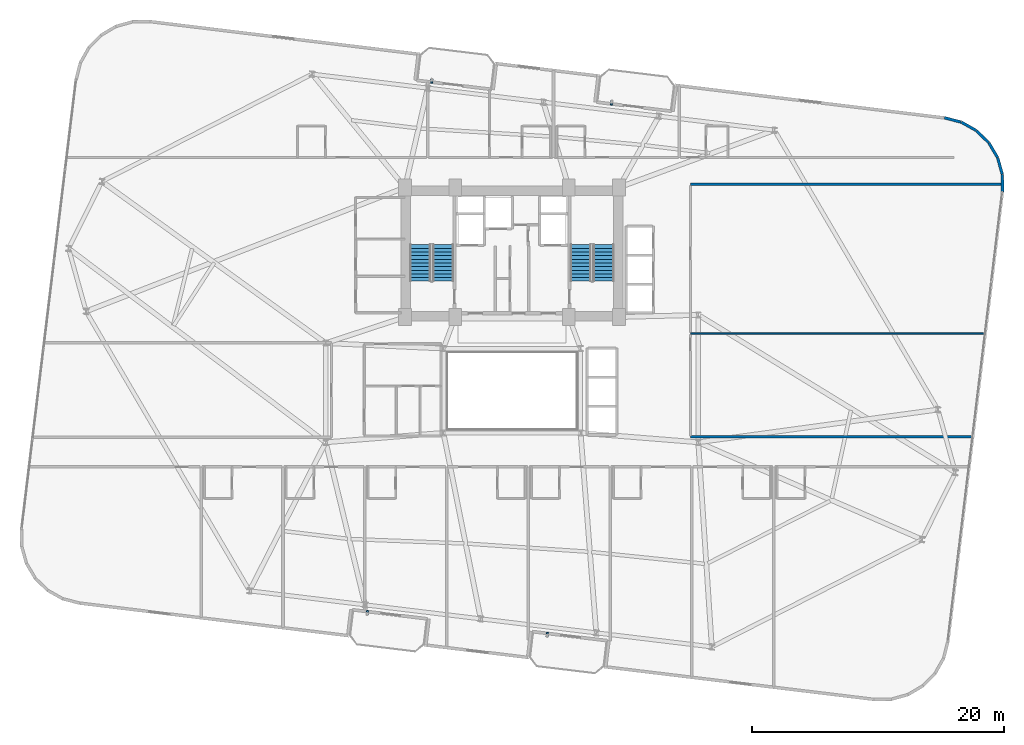
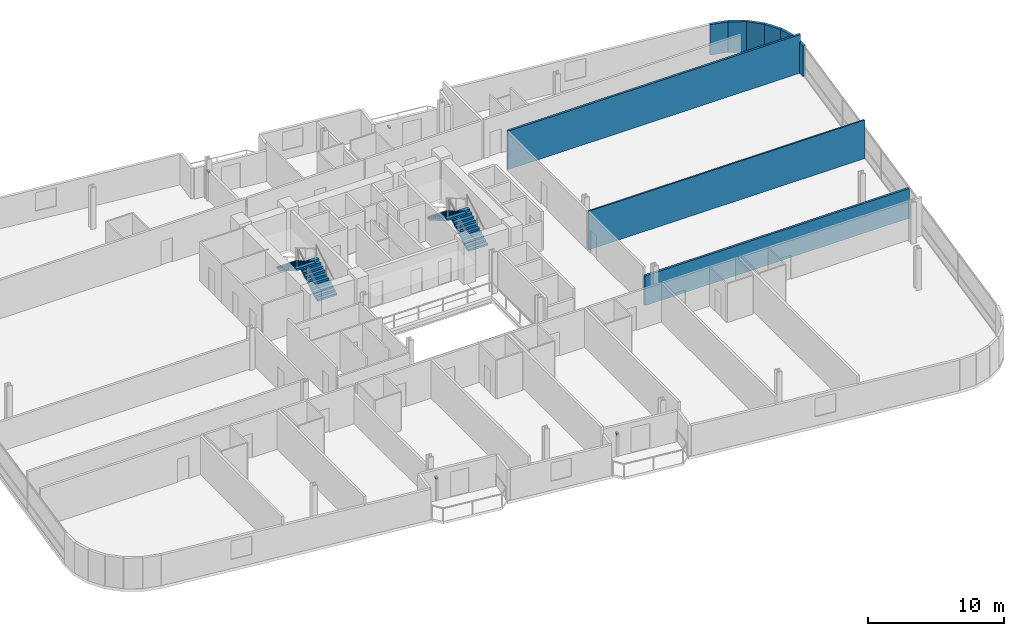
# One storey, part 24 of 26: 9 walls, 4 discrete accessories, 4 stair flights, 2 elements without a shape of their own.
"""IFC4 building model written with IfcOpenShell, lengths in metres."""

from ifc_helpers import new_model, si_unit, direction, frame, frame_2d, origin, origin_2d, place, context, subcontext, project, spatial, polyline, rectangle, outline, extrude, source, transform, mapped, material, layer, layer_set, type_object, element, aggregate, save


model = new_model("IFC4")

# Units and contexts
model_context = context("Model", 3, precision=1e-05, world=origin(), true_north=direction((0.0, 1.0)))
body_context = subcontext(model_context, "Body", "Model", "MODEL_VIEW")
ifc_project = project(units=[si_unit("LENGTHUNIT", "METRE"), si_unit("AREAUNIT", "SQUARE_METRE"), si_unit("VOLUMEUNIT", "CUBIC_METRE"), si_unit("PLANEANGLEUNIT", "RADIAN"), si_unit("MASSUNIT", "GRAM", prefix="KILO")], contexts=[model_context])

# Site, building, storey
site_placement = place(None, origin())
site = spatial("IfcSite", under=ifc_project, at=site_placement, CompositionType="ELEMENT")
building_placement = place(site_placement, origin())
building = spatial("IfcBuilding", under=site, at=building_placement, Name="Varnelok Gate Tower", CompositionType="ELEMENT")
storey_placement = place(building_placement, frame((0.0, 0.0, 125.39990234375)))
storey = spatial("IfcBuildingStorey", under=building, at=storey_placement, Name="L31", CompositionType="ELEMENT", Elevation=125.39990234375)

# Walls
ifc_material_1 = material(Name="Concrete C45/55", Category="concrete")
ifc_layer_1 = layer(ifc_material_1, 0.219970703125)
ifc_layer_set_1 = layer_set([ifc_layer_1], Name="Concrete C45/55")
wall_type_1 = type_object("IfcWallType", Name="EW-BALC-220", PredefinedType="SOLIDWALL", material=ifc_layer_set_1)
wall_1_placement = place(storey_placement, frame((78.175537109375, 38.706787109375, 0.0), z_axis=(0.0, 0.0, 1.0), x_axis=(-0.010096916637, 0.999949024838, 0.0)))
element("IfcWall", 1, at=wall_1_placement, inside=storey, type_object=wall_type_1, Name="L31 Perimeter Facade Closure Wall 20", PredefinedType="SOLIDWALL", context=body_context, shape_type="SweptSolid", body=[
    extrude(rectangle(XDim=1.378173828125, YDim=0.219970703125, at=frame_2d((0.68896484375, 0.0))), origin(), (0.0, 0.0, 1.0), 2.72998046875),
])
wall_2_placement = place(storey_placement, frame((78.15478515625, 40.10888671875, 0.0), z_axis=(0.0, 0.0, 1.0), x_axis=(-0.268639368869, 0.963240826322, 0.0)))
element("IfcWall", 2, at=wall_2_placement, inside=storey, type_object=wall_type_1, Name="L31 Perimeter Facade Closure Wall 21", PredefinedType="SOLIDWALL", context=body_context, shape_type="SweptSolid", body=[
    extrude(rectangle(XDim=1.353271484375, YDim=0.219970703125, at=frame_2d((0.6767578125, 0.0))), origin(), (0.0, 0.0, 1.0), 2.72998046875),
])
for number, where, z_axis, x_axis, name in (
    (3, (77.7783203125, 41.433837890625, 0.0), (0.0, 0.0, 1.0), (-0.508698913794, 0.860944490142, 0.0), "L31 Perimeter Facade Closure Wall 22"),
    (4, (77.072265625, 42.6162109375, 0.0), (0.0, 0.0, 1.0), (-0.714376989847, 0.69976104234, 0.0), "L31 Perimeter Facade Closure Wall 23"),
    (5, (76.083740234375, 43.5751953125, 0.0), (0.0, 0.0, 1.0), (-0.871093268227, 0.491117621399, 0.0), "L31 Perimeter Facade Closure Wall 24"),
):
    element("IfcWall", number, at=place(storey_placement, frame(where, z_axis=z_axis, x_axis=x_axis)), inside=storey, type_object=wall_type_1, Name=name, PredefinedType="SOLIDWALL", context=body_context, shape_type="SweptSolid", body=[
        extrude(rectangle(XDim=1.35302734375, YDim=0.219970703125, at=frame_2d((0.676513671875, 0.0))), origin(), (0.0, 0.0, 1.0), 2.72998046875),
    ])
wall_3_placement = place(storey_placement, frame((74.880859375, 44.24609375, 0.0), z_axis=(0.0, 0.0, 1.0), x_axis=(-0.968549775063, 0.248819881091, 0.0)))
element("IfcWall", 6, at=wall_3_placement, inside=storey, type_object=wall_type_1, Name="L31 Perimeter Facade Closure Wall 25", PredefinedType="SOLIDWALL", context=body_context, shape_type="SweptSolid", body=[
    extrude(rectangle(XDim=1.36083984375, YDim=0.219970703125, at=frame_2d((0.680419921875, 0.0))), origin(), (0.0, 0.0, 1.0), 2.72998046875),
])
ifc_material_2 = material(Name="Gypsum Plasterboard Acoustic Partition", Category="gypsum")
ifc_layer_2 = layer(ifc_material_2, 0.179931640625)
ifc_layer_set_2 = layer_set([ifc_layer_2], Name="Gypsum Plasterboard Acoustic Partition")
wall_type_2 = type_object("IfcWallType", Name="PW-CORR-180", PredefinedType="PARTITIONING", material=ifc_layer_set_2)
wall_4_placement = place(storey_placement, frame((53.389892578125, 19.239990234375, 0.0), z_axis=(0.0, 0.0, 1.0), x_axis=(1.0, 0.0, 0.0)))
element("IfcWall", 7, at=wall_4_placement, inside=storey, type_object=wall_type_2, Name="Interior Partition", PredefinedType="PARTITIONING", context=body_context, shape_type="SweptSolid", body=[
    extrude(rectangle(XDim=22.36669921875, YDim=0.179931640625, at=frame_2d((11.183349609375, 0.0))), origin(), (0.0, 0.0, 1.0), 2.662109375),
])
wall_5_placement = place(storey_placement, frame((53.389892578125, 39.300048828125, 0.0), z_axis=(0.0, 0.0, 1.0), x_axis=(1.0, 0.0, 0.0)))
element("IfcWall", 8, at=wall_5_placement, inside=storey, type_object=wall_type_2, Name="Interior Partition", PredefinedType="PARTITIONING", context=body_context, shape_type="SweptSolid", body=[
    extrude(rectangle(XDim=24.73974609375, YDim=0.179931640625, at=frame_2d((12.369873046875, 0.0))), origin(), (0.0, 0.0, 1.0), 3.4501953125),
])
ifc_layer_3 = layer(ifc_material_2, 0.125)
ifc_layer_set_3 = layer_set([ifc_layer_3], Name="Gypsum Plasterboard Acoustic Partition")
wall_type_3 = type_object("IfcWallType", Name="PW-PART-125", PredefinedType="PARTITIONING", material=ifc_layer_set_3)
wall_6_placement = place(storey_placement, frame((53.389892578125, 27.449951171875, 0.0), z_axis=(0.0, 0.0, 1.0), x_axis=(1.0, 0.0, 0.0)))
element("IfcWall", 9, at=wall_6_placement, inside=storey, type_object=wall_type_3, Name="Interior Partition", PredefinedType="PARTITIONING", context=body_context, shape_type="SweptSolid", body=[
    extrude(rectangle(XDim=23.362060546875, YDim=0.125, at=frame_2d((11.68115234375, 0.0))), origin(), (0.0, 0.0, 1.0), 3.4501953125),
])

# Stair, stair flights
ifc_material_3 = material(Name="Concrete C50/60", Category="concrete")
stair_type = type_object("IfcStairType", Name="STR-CORE-1650", PredefinedType="HALF_TURN_STAIR", material=ifc_material_3)
stair_1_placement = place(storey_placement, origin())
stair_1 = element("IfcStair", 10, at=stair_1_placement, inside=storey, type_object=stair_type, Name="L31 Exit Stair ST-1", PredefinedType="HALF_TURN_STAIR")
stair_flight_type = type_object("IfcStairFlightType", Name="SFL-CORE-1650", PredefinedType="STRAIGHT", material=ifc_material_3)
stair_flight_1_placement = place(storey_placement, frame((33.72509765625, 31.60009765625, 0.0), z_axis=(0.0, 0.0, 1.0), x_axis=(0.0, 1.0, 0.0)))
stair_flight_1 = element("IfcStairFlight", 11, at=stair_flight_1_placement, type_object=stair_flight_type, Name="ST-1 flight 1", NumberOfRisers=11, NumberOfTreads=10, PredefinedType="STRAIGHT", RiserHeight=0.168181818, TreadLength=0.29, context=body_context, shape_type="SweptSolid", body=[
    extrude(outline(polyline([(0.0, 0.0), (0.0, 0.168212890625), (0.2900390625, 0.168212890625), (0.2900390625, 0.33642578125), (0.580078125, 0.33642578125), (0.580078125, 0.504638671875), (0.8701171875, 0.504638671875), (0.8701171875, 0.672607421875), (1.159912109375, 0.672607421875), (1.159912109375, 0.8408203125), (1.449951171875, 0.8408203125), (1.449951171875, 1.009033203125), (1.739990234375, 1.009033203125), (1.739990234375, 1.17724609375), (2.030029296875, 1.17724609375), (2.030029296875, 1.345458984375), (2.320068359375, 1.345458984375), (2.320068359375, 1.513671875), (2.610107421875, 1.513671875), (2.610107421875, 1.681884765625), (2.89990234375, 1.681884765625), (2.89990234375, 1.85009765625), (2.89990234375, 1.508544921875), (0.298828125, 0.0), (0.0, 0.0)])), frame((0.0, 0.824951171875, 0.0), z_axis=(0.0, -1.0, 0.0), x_axis=(1.0, 0.0, 0.0)), (0.0, 0.0, 1.0), 1.64990234375),
])
stair_flight_2_placement = place(storey_placement, frame((31.925048828125, 34.5, 1.85009765625), z_axis=(0.0, 0.0, 1.0), x_axis=(0.0, -1.0, 0.0)))
stair_flight_2 = element("IfcStairFlight", 12, at=stair_flight_2_placement, type_object=stair_flight_type, Name="ST-1 flight 2", NumberOfRisers=11, NumberOfTreads=10, PredefinedType="STRAIGHT", RiserHeight=0.168181818, TreadLength=0.29, context=body_context, shape_type="SweptSolid", body=[
    extrude(outline(polyline([(0.0, 0.0), (0.0, 0.168212890625), (0.2900390625, 0.168212890625), (0.2900390625, 0.33642578125), (0.580078125, 0.33642578125), (0.580078125, 0.504638671875), (0.8701171875, 0.504638671875), (0.8701171875, 0.672607421875), (1.159912109375, 0.672607421875), (1.159912109375, 0.8408203125), (1.449951171875, 0.8408203125), (1.449951171875, 1.009033203125), (1.739990234375, 1.009033203125), (1.739990234375, 1.17724609375), (2.030029296875, 1.17724609375), (2.030029296875, 1.345458984375), (2.320068359375, 1.345458984375), (2.320068359375, 1.513671875), (2.610107421875, 1.513671875), (2.610107421875, 1.681884765625), (2.89990234375, 1.681884765625), (2.89990234375, 1.85009765625), (2.89990234375, 1.508544921875), (0.298828125, 0.0), (0.0, 0.0)])), frame((0.0, 0.824951171875, 0.0), z_axis=(0.0, -1.0, 0.0), x_axis=(1.0, 0.0, 0.0)), (0.0, 0.0, 1.0), 1.64990234375),
])
aggregate(stair_1, [stair_flight_1, stair_flight_2])

stair_2_placement = place(storey_placement, origin())
stair_2 = element("IfcStair", 13, at=stair_2_placement, inside=storey, type_object=stair_type, Name="L31 Exit Stair ST-2", PredefinedType="HALF_TURN_STAIR")
stair_flight_3_placement = place(storey_placement, frame((46.47509765625, 31.60009765625, 0.0), z_axis=(0.0, 0.0, 1.0), x_axis=(0.0, 1.0, 0.0)))
stair_flight_3 = element("IfcStairFlight", 14, at=stair_flight_3_placement, type_object=stair_flight_type, Name="ST-2 flight 1", NumberOfRisers=11, NumberOfTreads=10, PredefinedType="STRAIGHT", RiserHeight=0.168181818, TreadLength=0.29, context=body_context, shape_type="SweptSolid", body=[
    extrude(outline(polyline([(0.0, 0.0), (0.0, 0.168212890625), (0.2900390625, 0.168212890625), (0.2900390625, 0.33642578125), (0.580078125, 0.33642578125), (0.580078125, 0.504638671875), (0.8701171875, 0.504638671875), (0.8701171875, 0.672607421875), (1.159912109375, 0.672607421875), (1.159912109375, 0.8408203125), (1.449951171875, 0.8408203125), (1.449951171875, 1.009033203125), (1.739990234375, 1.009033203125), (1.739990234375, 1.17724609375), (2.030029296875, 1.17724609375), (2.030029296875, 1.345458984375), (2.320068359375, 1.345458984375), (2.320068359375, 1.513671875), (2.610107421875, 1.513671875), (2.610107421875, 1.681884765625), (2.89990234375, 1.681884765625), (2.89990234375, 1.85009765625), (2.89990234375, 1.508544921875), (0.298828125, 0.0), (0.0, 0.0)])), frame((0.0, 0.824951171875, 0.0), z_axis=(0.0, -1.0, 0.0), x_axis=(1.0, 0.0, 0.0)), (0.0, 0.0, 1.0), 1.64990234375),
])
stair_flight_4_placement = place(storey_placement, frame((44.675048828125, 34.5, 1.85009765625), z_axis=(0.0, 0.0, 1.0), x_axis=(0.0, -1.0, 0.0)))
stair_flight_4 = element("IfcStairFlight", 15, at=stair_flight_4_placement, type_object=stair_flight_type, Name="ST-2 flight 2", NumberOfRisers=11, NumberOfTreads=10, PredefinedType="STRAIGHT", RiserHeight=0.168181818, TreadLength=0.29, context=body_context, shape_type="SweptSolid", body=[
    extrude(outline(polyline([(0.0, 0.0), (0.0, 0.168212890625), (0.2900390625, 0.168212890625), (0.2900390625, 0.33642578125), (0.580078125, 0.33642578125), (0.580078125, 0.504638671875), (0.8701171875, 0.504638671875), (0.8701171875, 0.672607421875), (1.159912109375, 0.672607421875), (1.159912109375, 0.8408203125), (1.449951171875, 0.8408203125), (1.449951171875, 1.009033203125), (1.739990234375, 1.009033203125), (1.739990234375, 1.17724609375), (2.030029296875, 1.17724609375), (2.030029296875, 1.345458984375), (2.320068359375, 1.345458984375), (2.320068359375, 1.513671875), (2.610107421875, 1.513671875), (2.610107421875, 1.681884765625), (2.89990234375, 1.681884765625), (2.89990234375, 1.85009765625), (2.89990234375, 1.508544921875), (0.298828125, 0.0), (0.0, 0.0)])), frame((0.0, 0.824951171875, 0.0), z_axis=(0.0, -1.0, 0.0), x_axis=(1.0, 0.0, 0.0)), (0.0, 0.0, 1.0), 1.64990234375),
])
aggregate(stair_2, [stair_flight_3, stair_flight_4])

# Discrete accessories
ifc_material_4 = material(Name="Structural Steel ASTM A500 Grade C", Category="steel")
discrete_accessory_type = type_object("IfcDiscreteAccessoryType", Name="ACC-BAGUETTE-BRK", PredefinedType="BRACKET", material=ifc_material_4)
shared_shape = source(origin(), body_context, "Body", "SweptSolid", [
    extrude(rectangle(XDim=0.159912109375, YDim=0.340087890625, at=origin_2d()), origin(), (0.0, 0.0, 1.0), 0.139892578125),
])
for number, where, z_axis, x_axis, name in (
    (16, (27.705810546875, 5.267578125, 1.97998046875), (0.0, 0.0, 1.0), (0.992732158755, -0.12034475881, 0.0), "L31 Terracotta Baguette Bracket 1.1"),
    (17, (42.0009765625, 3.53466796875, 1.97998046875), (0.0, 0.0, 1.0), (0.992732158755, -0.12034475881, 0.0), "L31 Terracotta Baguette Bracket 2.1"),
    (18, (32.8251953125, 47.49853515625, 1.97998046875), (0.0, 0.0, 1.0), (0.992732158755, -0.12034475881, 0.0), "L31 Terracotta Baguette Bracket 3.1"),
    (19, (47.12060546875, 45.765625, 1.97998046875), (0.0, 0.0, 1.0), (0.992732158755, -0.12034475881, 0.0), "L31 Terracotta Baguette Bracket 4.1"),
):
    element("IfcDiscreteAccessory", number, at=place(storey_placement, frame(where, z_axis=z_axis, x_axis=x_axis)), inside=storey, type_object=discrete_accessory_type, Name=name, PredefinedType="BRACKET", context=body_context, shape_type="MappedRepresentation", body=[
        mapped(shared_shape, transform((0.0, 0.0, 0.0), scale=1.0)),
    ])

save(model, "model.ifc")
